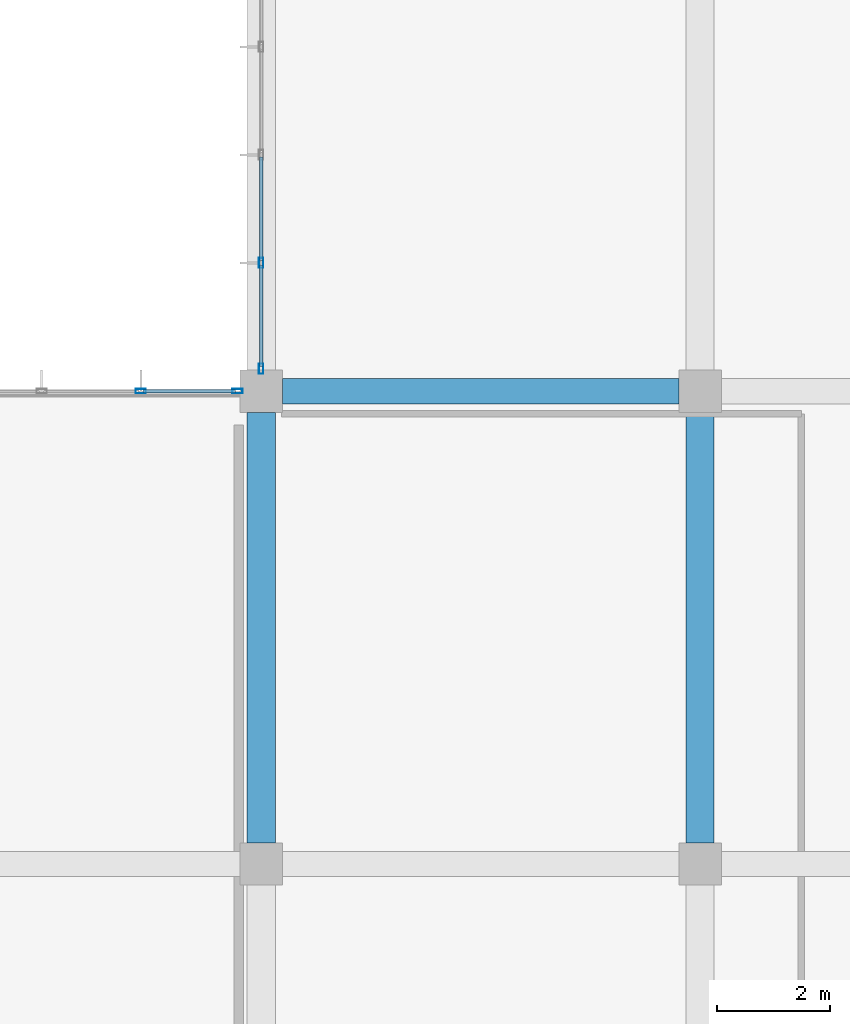
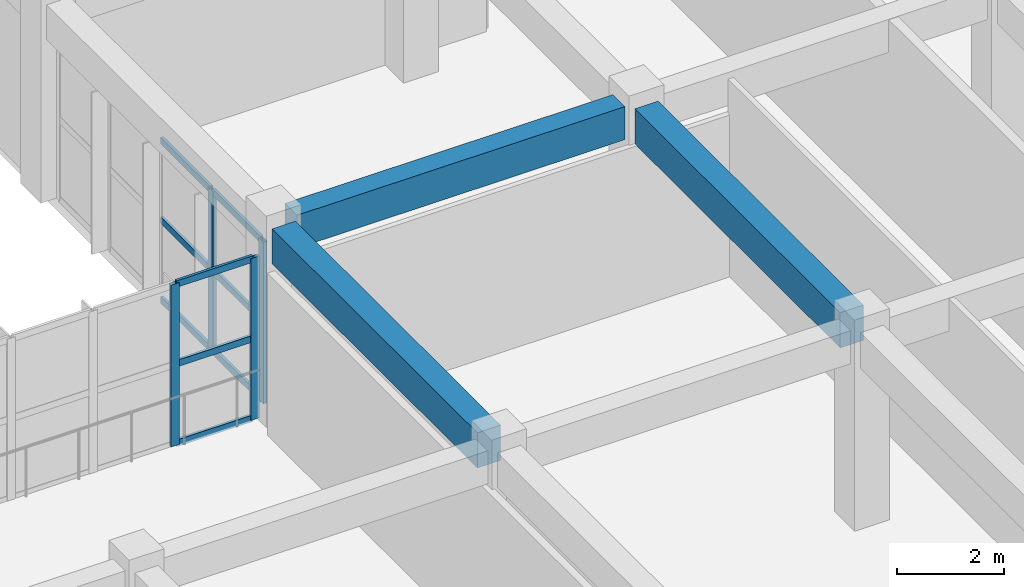
# One storey, part 62 of 175: 13 members, 3 beams, 2 elements without a shape of their own.
"""IFC4 building model written with IfcOpenShell, lengths in metres."""

from ifc_helpers import new_model, si_unit, direction, frame, origin, origin_2d, place, context, subcontext, project, spatial, rectangle, hollow_rectangle, extrude, material, layer, layer_set, material_profile, profile_set, type_object, element, aggregate, save


model = new_model("IFC4")

# Units and contexts
model_context = context("Model", 3, precision=1e-05, world=origin(), true_north=direction((0.0, 1.0)))
body_context = subcontext(model_context, "Body", "Model", "MODEL_VIEW")
ifc_project = project(units=[si_unit("LENGTHUNIT", "METRE"), si_unit("AREAUNIT", "SQUARE_METRE"), si_unit("VOLUMEUNIT", "CUBIC_METRE"), si_unit("PLANEANGLEUNIT", "RADIAN"), si_unit("MASSUNIT", "GRAM", prefix="KILO")], contexts=[model_context])

# Site, building, storey
site_placement = place(None, origin())
site = spatial("IfcSite", under=ifc_project, at=site_placement, CompositionType="ELEMENT")
building_placement = place(site_placement, origin())
building = spatial("IfcBuilding", under=site, at=building_placement, Name="Zizhar Promenade General Hospital", CompositionType="ELEMENT")
storey_placement = place(building_placement, frame((0.0, 0.0, 4.800048828125)))
storey = spatial("IfcBuildingStorey", under=building, at=storey_placement, Name="L01", CompositionType="ELEMENT", Elevation=4.800048828125)

# Beams
ifc_material_1 = material(Name="Concrete C35/45", Category="concrete")
ifc_material_profile_1 = material_profile(ifc_material_1, rectangle(XDim=0.449951171875, YDim=0.75, at=origin_2d()))
ifc_profile_set_1 = profile_set([ifc_material_profile_1], Name="Concrete C35/45")
beam_type_1 = type_object("IfcBeamType", Name="BM-RC-450x750", PredefinedType="BEAM", material=ifc_profile_set_1)
beam_placement = place(storey_placement, frame((47.175048828125, 84.0, 4.094970703125), z_axis=(1.0, 0.0, 0.0), x_axis=(0.0, 1.0, 0.0)))
element("IfcBeam", 1, at=beam_placement, inside=storey, type_object=beam_type_1, Name="Grid Beam X L01 (6-10)", PredefinedType="BEAM", context=body_context, shape_type="SweptSolid", body=[
    extrude(rectangle(XDim=0.449951171875, YDim=0.75, at=origin_2d()), origin(), (0.0, 0.0, 1.0), 7.050048828125),
])
ifc_material_2 = material(Name="Concrete C35/45", Category="concrete")
ifc_material_profile_2 = material_profile(ifc_material_2, rectangle(XDim=0.5, YDim=0.800048828125, at=origin_2d()))
ifc_profile_set_2 = profile_set([ifc_material_profile_2], Name="Concrete C35/45")
beam_type_2 = type_object("IfcBeamType", Name="BM-RC-500x800", PredefinedType="BEAM", material=ifc_profile_set_2)
for number, where, z_axis, x_axis, name in (
    (2, (46.800048828125, 75.97509765625, 4.070068359375), (0.0, 1.0, 0.0), (-1.0, 0.0, 0.0), "Grid Beam Y L01 (6-9)"),
    (3, (54.60009765625, 75.97509765625, 4.070068359375), (0.0, 1.0, 0.0), (-1.0, 0.0, 0.0), "Grid Beam Y L01 (7-9)"),
):
    element("IfcBeam", number, at=place(storey_placement, frame(where, z_axis=z_axis, x_axis=x_axis)), inside=storey, type_object=beam_type_2, Name=name, PredefinedType="BEAM", context=body_context, shape_type="SweptSolid", body=[
        extrude(rectangle(XDim=0.5, YDim=0.800048828125, at=origin_2d()), origin(), (0.0, 0.0, 1.0), 7.64990234375),
    ])

# Curtain wall, members
ifc_material_3 = material(Name="Anodised aluminium 6063-T6 and low-E glass", Category="aluminium")
ifc_layer_1 = layer(ifc_material_3, 0.159912109375)
ifc_layer_set_1 = layer_set([ifc_layer_1], Name="Anodised aluminium 6063-T6 and low-E glass")
curtain_wall_type_1 = type_object("IfcCurtainWallType", Name="CW-DT-MOD2", PredefinedType="NOTDEFINED", material=ifc_layer_set_1)
curtain_wall_1_placement = place(storey_placement, origin())
curtain_wall_1 = element("IfcCurtainWall", 4, at=curtain_wall_1_placement, inside=storey, type_object=curtain_wall_type_1, Name="West Diagnostic Arm Glazed Curtain Wall L01-N2", PredefinedType="NOTDEFINED")
ifc_material_4 = material(Name="Anodised aluminium 6063-T6", Category="aluminium")
ifc_material_profile_3 = material_profile(ifc_material_4, hollow_rectangle(XDim=0.080078125, YDim=0.179931640625, WallThickness=0.0048828125, at=origin_2d()))
ifc_profile_set_3 = profile_set([ifc_material_profile_3], Name="Anodised aluminium 6063-T6")
member_type_1 = type_object("IfcMemberType", Name="CWM-ALU-180x80", PredefinedType="MULLION", material=ifc_profile_set_3)
member_1_placement = place(storey_placement, frame((44.659912109375, 84.0, 0.0), z_axis=(0.0, 0.0, 1.0), x_axis=(0.0, 1.0, 0.0)))
member_1 = element("IfcMember", 5, at=member_1_placement, type_object=member_type_1, Name="CW-08 mullion 4", PredefinedType="MULLION", context=body_context, shape_type="SweptSolid", body=[
    extrude(hollow_rectangle(XDim=0.080078125, YDim=0.179931640625, WallThickness=0.0048828125, at=origin_2d()), origin(), (0.0, 0.0, 1.0), 3.679931640625),
])
member_2_placement = place(storey_placement, frame((46.3798828125, 84.0, 0.0), z_axis=(0.0, 0.0, 1.0), x_axis=(0.0, 1.0, 0.0)))
member_2 = element("IfcMember", 6, at=member_2_placement, type_object=member_type_1, Name="CW-08 mullion 5", PredefinedType="MULLION", context=body_context, shape_type="SweptSolid", body=[
    extrude(hollow_rectangle(XDim=0.080078125, YDim=0.179931640625, WallThickness=0.0048828125, at=origin_2d()), origin(), (0.0, 0.0, 1.0), 3.679931640625),
])

ifc_material_5 = material(Name="Anodised aluminium 6063-T6 and low-E glass", Category="aluminium")
ifc_layer_2 = layer(ifc_material_5, 0.159912109375)
ifc_layer_set_2 = layer_set([ifc_layer_2], Name="Anodised aluminium 6063-T6 and low-E glass")
curtain_wall_type_2 = type_object("IfcCurtainWallType", Name="CW-DT-MOD1", PredefinedType="NOTDEFINED", material=ifc_layer_set_2)
curtain_wall_2_placement = place(storey_placement, origin())
curtain_wall_2 = element("IfcCurtainWall", 7, at=curtain_wall_2_placement, inside=storey, type_object=curtain_wall_type_2, Name="Surgical West Glazed Curtain Wall L01-10", PredefinedType="NOTDEFINED")
member_3_placement = place(storey_placement, frame((46.800048828125, 84.39990234375, 0.0), z_axis=(0.0, 0.0, 1.0), x_axis=(-1.0, 0.0, 0.0)))
member_3 = element("IfcMember", 8, at=member_3_placement, type_object=member_type_1, Name="CW-07 mullion 1", PredefinedType="MULLION", context=body_context, shape_type="SweptSolid", body=[
    extrude(hollow_rectangle(XDim=0.080078125, YDim=0.179931640625, WallThickness=0.0048828125, at=origin_2d()), origin(), (0.0, 0.0, 1.0), 3.679931640625),
])
member_4_placement = place(storey_placement, frame((46.800048828125, 86.280029296875, 0.0), z_axis=(0.0, 0.0, 1.0), x_axis=(-1.0, 0.0, 0.0)))
member_4 = element("IfcMember", 9, at=member_4_placement, type_object=member_type_1, Name="CW-07 mullion 2", PredefinedType="MULLION", context=body_context, shape_type="SweptSolid", body=[
    extrude(hollow_rectangle(XDim=0.080078125, YDim=0.179931640625, WallThickness=0.0048828125, at=origin_2d()), origin(), (0.0, 0.0, 1.0), 3.679931640625),
])

# Member
ifc_material_6 = material(Name="Anodised aluminium 6063-T6", Category="aluminium")
ifc_material_profile_4 = material_profile(ifc_material_6, hollow_rectangle(XDim=0.06005859375, YDim=0.14990234375, WallThickness=0.00390625, at=origin_2d()))
ifc_profile_set_4 = profile_set([ifc_material_profile_4], Name="Anodised aluminium 6063-T6")
member_type_2 = type_object("IfcMemberType", Name="CWT-ALU-150x60", PredefinedType="USERDEFINED", material=ifc_profile_set_4)
member_5_placement = place(storey_placement, frame((44.699951171875, 84.0, 0.030029296875), z_axis=(1.0, 0.0, 0.0), x_axis=(0.0, 1.0, 0.0)))
member_5 = element("IfcMember", 10, at=member_5_placement, type_object=member_type_2, Name="CW-08 transom 4.1", ObjectType="TRANSOM", PredefinedType="USERDEFINED", context=body_context, shape_type="SweptSolid", body=[
    extrude(hollow_rectangle(XDim=0.06005859375, YDim=0.14990234375, WallThickness=0.00390625, at=origin_2d()), origin(), (0.0, 0.0, 1.0), 1.64013671875),
])

member_6_placement = place(storey_placement, frame((44.699951171875, 84.0, 1.83984375), z_axis=(1.0, 0.0, 0.0), x_axis=(0.0, 1.0, 0.0)))
member_6 = element("IfcMember", 11, at=member_6_placement, type_object=member_type_2, Name="CW-08 transom 4.2", ObjectType="TRANSOM", PredefinedType="USERDEFINED", context=body_context, shape_type="SweptSolid", body=[
    extrude(hollow_rectangle(XDim=0.06005859375, YDim=0.14990234375, WallThickness=0.00390625, at=origin_2d()), origin(), (0.0, 0.0, 1.0), 1.64013671875),
])

member_7_placement = place(storey_placement, frame((44.699951171875, 84.0, 3.64990234375), z_axis=(1.0, 0.0, 0.0), x_axis=(0.0, 1.0, 0.0)))
member_7 = element("IfcMember", 12, at=member_7_placement, type_object=member_type_2, Name="CW-08 transom 4.3", ObjectType="TRANSOM", PredefinedType="USERDEFINED", context=body_context, shape_type="SweptSolid", body=[
    extrude(hollow_rectangle(XDim=0.06005859375, YDim=0.14990234375, WallThickness=0.00390625, at=origin_2d()), origin(), (0.0, 0.0, 1.0), 1.64013671875),
])

aggregate(curtain_wall_1, [member_1, member_2, member_5, member_6, member_7])

member_8_placement = place(storey_placement, frame((46.800048828125, 84.43994140625, 0.030029296875), z_axis=(0.0, 1.0, 0.0), x_axis=(-1.0, 0.0, 0.0)))
member_8 = element("IfcMember", 13, at=member_8_placement, type_object=member_type_2, Name="CW-07 transom 1.1", ObjectType="TRANSOM", PredefinedType="USERDEFINED", context=body_context, shape_type="SweptSolid", body=[
    extrude(hollow_rectangle(XDim=0.06005859375, YDim=0.14990234375, WallThickness=0.00390625, at=origin_2d()), origin(), (0.0, 0.0, 1.0), 1.800048828125),
])

member_9_placement = place(storey_placement, frame((46.800048828125, 84.43994140625, 1.83984375), z_axis=(0.0, 1.0, 0.0), x_axis=(-1.0, 0.0, 0.0)))
member_9 = element("IfcMember", 14, at=member_9_placement, type_object=member_type_2, Name="CW-07 transom 1.2", ObjectType="TRANSOM", PredefinedType="USERDEFINED", context=body_context, shape_type="SweptSolid", body=[
    extrude(hollow_rectangle(XDim=0.06005859375, YDim=0.14990234375, WallThickness=0.00390625, at=origin_2d()), origin(), (0.0, 0.0, 1.0), 1.800048828125),
])

member_10_placement = place(storey_placement, frame((46.800048828125, 84.43994140625, 3.64990234375), z_axis=(0.0, 1.0, 0.0), x_axis=(-1.0, 0.0, 0.0)))
member_10 = element("IfcMember", 15, at=member_10_placement, type_object=member_type_2, Name="CW-07 transom 1.3", ObjectType="TRANSOM", PredefinedType="USERDEFINED", context=body_context, shape_type="SweptSolid", body=[
    extrude(hollow_rectangle(XDim=0.06005859375, YDim=0.14990234375, WallThickness=0.00390625, at=origin_2d()), origin(), (0.0, 0.0, 1.0), 1.800048828125),
])

member_11_placement = place(storey_placement, frame((46.800048828125, 86.320068359375, 0.030029296875), z_axis=(0.0, 1.0, 0.0), x_axis=(-1.0, 0.0, 0.0)))
member_11 = element("IfcMember", 16, at=member_11_placement, type_object=member_type_2, Name="CW-07 transom 2.1", ObjectType="TRANSOM", PredefinedType="USERDEFINED", context=body_context, shape_type="SweptSolid", body=[
    extrude(hollow_rectangle(XDim=0.06005859375, YDim=0.14990234375, WallThickness=0.00390625, at=origin_2d()), origin(), (0.0, 0.0, 1.0), 1.83984375),
])

member_12_placement = place(storey_placement, frame((46.800048828125, 86.320068359375, 1.83984375), z_axis=(0.0, 1.0, 0.0), x_axis=(-1.0, 0.0, 0.0)))
member_12 = element("IfcMember", 17, at=member_12_placement, type_object=member_type_2, Name="CW-07 transom 2.2", ObjectType="TRANSOM", PredefinedType="USERDEFINED", context=body_context, shape_type="SweptSolid", body=[
    extrude(hollow_rectangle(XDim=0.06005859375, YDim=0.14990234375, WallThickness=0.00390625, at=origin_2d()), origin(), (0.0, 0.0, 1.0), 1.83984375),
])

member_13_placement = place(storey_placement, frame((46.800048828125, 86.320068359375, 3.64990234375), z_axis=(0.0, 1.0, 0.0), x_axis=(-1.0, 0.0, 0.0)))
member_13 = element("IfcMember", 18, at=member_13_placement, type_object=member_type_2, Name="CW-07 transom 2.3", ObjectType="TRANSOM", PredefinedType="USERDEFINED", context=body_context, shape_type="SweptSolid", body=[
    extrude(hollow_rectangle(XDim=0.06005859375, YDim=0.14990234375, WallThickness=0.00390625, at=origin_2d()), origin(), (0.0, 0.0, 1.0), 1.83984375),
])

aggregate(curtain_wall_2, [member_3, member_4, member_8, member_9, member_10, member_11, member_12, member_13])

save(model, "model.ifc")
